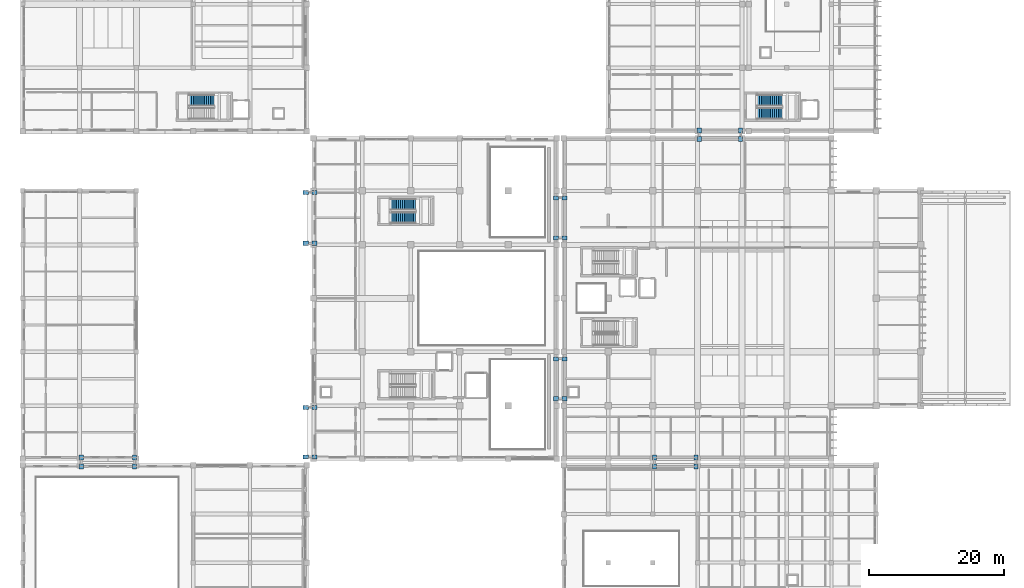
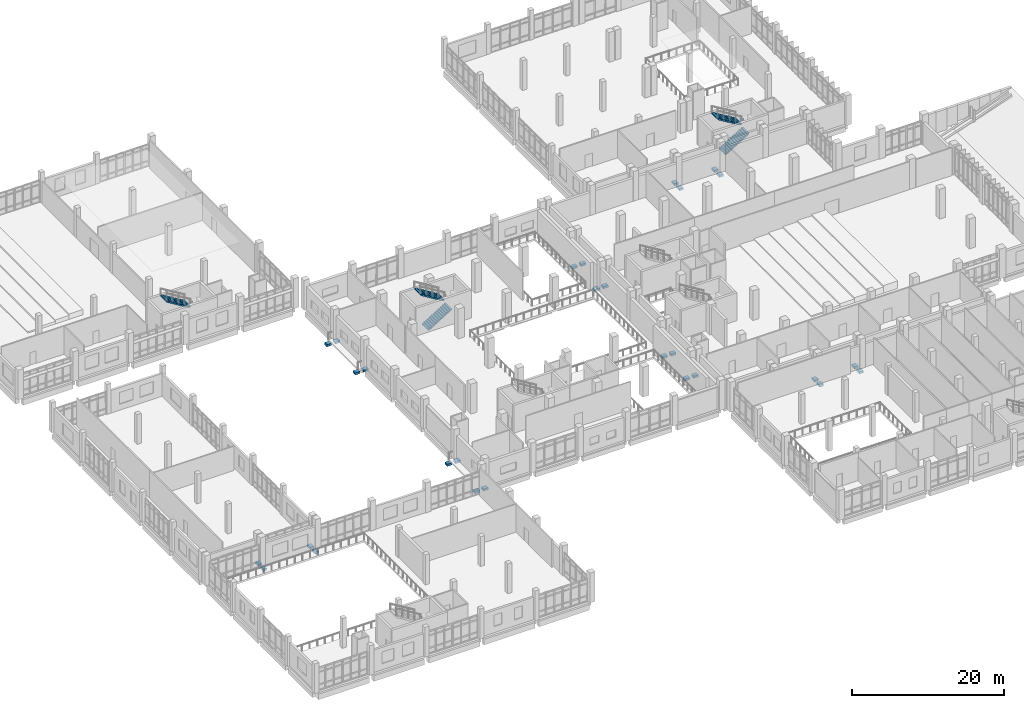
# One storey, part 73 of 90: 28 discrete accessories, 5 stair flights, 3 elements without a shape of their own.
"""IFC4 building model written with IfcOpenShell, lengths in metres."""

from ifc_helpers import new_model, si_unit, direction, frame, origin, origin_2d, place, context, subcontext, project, spatial, polyline, rectangle, outline, extrude, material, type_object, element, aggregate, save


model = new_model("IFC4")

# Units and contexts
model_context = context("Model", 3, precision=1e-05, world=origin(), true_north=direction((0.0, 1.0)))
body_context = subcontext(model_context, "Body", "Model", "MODEL_VIEW")
ifc_project = project(units=[si_unit("LENGTHUNIT", "METRE"), si_unit("AREAUNIT", "SQUARE_METRE"), si_unit("VOLUMEUNIT", "CUBIC_METRE"), si_unit("PLANEANGLEUNIT", "RADIAN"), si_unit("MASSUNIT", "GRAM", prefix="KILO")], contexts=[model_context])

# Site, building, storey
site_placement = place(None, origin())
site = spatial("IfcSite", under=ifc_project, at=site_placement, CompositionType="ELEMENT")
building_placement = place(site_placement, origin())
building = spatial("IfcBuilding", under=site, at=building_placement, Name="Kelarvand Opera House", CompositionType="ELEMENT")
storey_placement = place(building_placement, frame((0.0, 0.0, 5.39990234375)))
storey = spatial("IfcBuildingStorey", under=building, at=storey_placement, Name="L01", CompositionType="ELEMENT", Elevation=5.39990234375)

# Stair, stair flights
ifc_material_1 = material(Name="Concrete C35/45", Category="concrete")
stair_type = type_object("IfcStairType", Name="Dogleg Concrete Exit Stair 1660mm 28R STA-01", PredefinedType="HALF_TURN_STAIR", material=ifc_material_1)
stair_1_placement = place(storey_placement, origin())
stair_1 = element("IfcStair", 1, at=stair_1_placement, inside=storey, type_object=stair_type, Name="L01 Fly Tower North Technical Core C3 Stair ST-03", PredefinedType="HALF_TURN_STAIR")
stair_flight_type = type_object("IfcStairFlightType", Name="Precast Stair Flight 1660mm 14x171mm STF-01", PredefinedType="STRAIGHT", material=ifc_material_1)
stair_flight_1_placement = place(storey_placement, frame((63.4599609375, 74.429931640625, 0.0), z_axis=(0.0, 0.0, 1.0), x_axis=(1.0, 0.0, 0.0)))
stair_flight_1 = element("IfcStairFlight", 2, at=stair_flight_1_placement, type_object=stair_flight_type, Name="ST-03 flight 1", NumberOfRisers=14, NumberOfTreads=13, PredefinedType="STRAIGHT", RiserHeight=0.171428571, TreadLength=0.28, context=body_context, shape_type="SweptSolid", body=[
    extrude(outline(polyline([(0.0, 0.0), (0.0, 0.17138671875), (0.280029296875, 0.17138671875), (0.280029296875, 0.3427734375), (0.56005859375, 0.3427734375), (0.56005859375, 0.514404296875), (0.840087890625, 0.514404296875), (0.840087890625, 0.685791015625), (1.1201171875, 0.685791015625), (1.1201171875, 0.857177734375), (1.39990234375, 0.857177734375), (1.39990234375, 1.028564453125), (1.679931640625, 1.028564453125), (1.679931640625, 1.199951171875), (1.9599609375, 1.199951171875), (1.9599609375, 1.371337890625), (2.239990234375, 1.371337890625), (2.239990234375, 1.54296875), (2.52001953125, 1.54296875), (2.52001953125, 1.71435546875), (2.800048828125, 1.71435546875), (2.800048828125, 1.8857421875), (3.080078125, 1.8857421875), (3.080078125, 2.05712890625), (3.360107421875, 2.05712890625), (3.360107421875, 2.228515625), (3.639892578125, 2.228515625), (3.639892578125, 2.39990234375), (3.639892578125, 2.041015625), (0.30615234375, 0.0), (0.0, 0.0)])), frame((0.0, 0.830078125, 0.0), z_axis=(0.0, -1.0, 0.0), x_axis=(1.0, 0.0, 0.0)), (0.0, 0.0, 1.0), 1.659912109375),
])
stair_flight_2_placement = place(storey_placement, frame((67.10009765625, 76.3701171875, 2.400146484375), z_axis=(0.0, 0.0, 1.0), x_axis=(-1.0, 0.0, 0.0)))
stair_flight_2 = element("IfcStairFlight", 3, at=stair_flight_2_placement, type_object=stair_flight_type, Name="ST-03 flight 2", NumberOfRisers=14, NumberOfTreads=13, PredefinedType="STRAIGHT", RiserHeight=0.171428571, TreadLength=0.28, context=body_context, shape_type="SweptSolid", body=[
    extrude(outline(polyline([(0.0, 0.0), (0.0, 0.17138671875), (0.280029296875, 0.17138671875), (0.280029296875, 0.3427734375), (0.56005859375, 0.3427734375), (0.56005859375, 0.514404296875), (0.840087890625, 0.514404296875), (0.840087890625, 0.685791015625), (1.1201171875, 0.685791015625), (1.1201171875, 0.857177734375), (1.39990234375, 0.857177734375), (1.39990234375, 1.028564453125), (1.679931640625, 1.028564453125), (1.679931640625, 1.199951171875), (1.9599609375, 1.199951171875), (1.9599609375, 1.371337890625), (2.239990234375, 1.371337890625), (2.239990234375, 1.54296875), (2.52001953125, 1.54296875), (2.52001953125, 1.71435546875), (2.800048828125, 1.71435546875), (2.800048828125, 1.8857421875), (3.080078125, 1.8857421875), (3.080078125, 2.05712890625), (3.360107421875, 2.05712890625), (3.360107421875, 2.228515625), (3.639892578125, 2.228515625), (3.639892578125, 2.39990234375), (3.639892578125, 2.041015625), (0.30615234375, 0.0), (0.0, 0.0)])), frame((0.0, 0.830078125, 0.0), z_axis=(0.0, -1.0, 0.0), x_axis=(1.0, 0.0, 0.0)), (0.0, 0.0, 1.0), 1.659912109375),
])
aggregate(stair_1, [stair_flight_1, stair_flight_2])

# Stair, stair flight
stair_2_placement = place(storey_placement, origin())
stair_2 = element("IfcStair", 4, at=stair_2_placement, inside=storey, type_object=stair_type, Name="L01 Rehearsal Pavilion Core C5 Stair ST-05", PredefinedType="HALF_TURN_STAIR")
stair_flight_3_placement = place(storey_placement, frame((37.300048828125, 91.77001953125, 2.400146484375), z_axis=(0.0, 0.0, 1.0), x_axis=(-1.0, 0.0, 0.0)))
stair_flight_3 = element("IfcStairFlight", 5, at=stair_flight_3_placement, type_object=stair_flight_type, Name="ST-05 flight 2", NumberOfRisers=14, NumberOfTreads=13, PredefinedType="STRAIGHT", RiserHeight=0.171428571, TreadLength=0.28, context=body_context, shape_type="SweptSolid", body=[
    extrude(outline(polyline([(0.0, 0.0), (0.0, 0.17138671875), (0.280029296875, 0.17138671875), (0.280029296875, 0.3427734375), (0.56005859375, 0.3427734375), (0.56005859375, 0.514404296875), (0.840087890625, 0.514404296875), (0.840087890625, 0.685791015625), (1.1201171875, 0.685791015625), (1.1201171875, 0.857177734375), (1.39990234375, 0.857177734375), (1.39990234375, 1.028564453125), (1.679931640625, 1.028564453125), (1.679931640625, 1.199951171875), (1.9599609375, 1.199951171875), (1.9599609375, 1.371337890625), (2.239990234375, 1.371337890625), (2.239990234375, 1.54296875), (2.52001953125, 1.54296875), (2.52001953125, 1.71435546875), (2.800048828125, 1.71435546875), (2.800048828125, 1.8857421875), (3.080078125, 1.8857421875), (3.080078125, 2.05712890625), (3.360107421875, 2.05712890625), (3.360107421875, 2.228515625), (3.639892578125, 2.228515625), (3.639892578125, 2.39990234375), (3.639892578125, 2.041015625), (0.30615234375, 0.0), (0.0, 0.0)])), frame((0.0, 0.830078125, 0.0), z_axis=(0.0, -1.0, 0.0), x_axis=(1.0, 0.0, 0.0)), (0.0, 0.0, 1.0), 1.659912109375),
])
aggregate(stair_2, [stair_flight_3])

# Stair, stair flights
stair_3_placement = place(storey_placement, origin())
stair_3 = element("IfcStair", 6, at=stair_3_placement, inside=storey, type_object=stair_type, Name="L01 North Park Foyer Core C7 Stair ST-07", PredefinedType="HALF_TURN_STAIR")
stair_flight_4_placement = place(storey_placement, frame((117.659912109375, 89.830078125, 0.0), z_axis=(0.0, 0.0, 1.0), x_axis=(1.0, 0.0, 0.0)))
stair_flight_4 = element("IfcStairFlight", 7, at=stair_flight_4_placement, type_object=stair_flight_type, Name="ST-07 flight 1", NumberOfRisers=14, NumberOfTreads=13, PredefinedType="STRAIGHT", RiserHeight=0.171428571, TreadLength=0.28, context=body_context, shape_type="SweptSolid", body=[
    extrude(outline(polyline([(0.0, 0.0), (0.0, 0.17138671875), (0.280029296875, 0.17138671875), (0.280029296875, 0.3427734375), (0.56005859375, 0.3427734375), (0.56005859375, 0.514404296875), (0.840087890625, 0.514404296875), (0.840087890625, 0.685791015625), (1.1201171875, 0.685791015625), (1.1201171875, 0.857177734375), (1.39990234375, 0.857177734375), (1.39990234375, 1.028564453125), (1.679931640625, 1.028564453125), (1.679931640625, 1.199951171875), (1.9599609375, 1.199951171875), (1.9599609375, 1.371337890625), (2.239990234375, 1.371337890625), (2.239990234375, 1.54296875), (2.52001953125, 1.54296875), (2.52001953125, 1.71435546875), (2.800048828125, 1.71435546875), (2.800048828125, 1.8857421875), (3.080078125, 1.8857421875), (3.080078125, 2.05712890625), (3.360107421875, 2.05712890625), (3.360107421875, 2.228515625), (3.639892578125, 2.228515625), (3.639892578125, 2.39990234375), (3.639892578125, 2.041015625), (0.30615234375, 0.0), (0.0, 0.0)])), frame((0.0, 0.830078125, 0.0), z_axis=(0.0, -1.0, 0.0), x_axis=(1.0, 0.0, 0.0)), (0.0, 0.0, 1.0), 1.659912109375),
])
stair_flight_5_placement = place(storey_placement, frame((121.300048828125, 91.77001953125, 2.400146484375), z_axis=(0.0, 0.0, 1.0), x_axis=(-1.0, 0.0, 0.0)))
stair_flight_5 = element("IfcStairFlight", 8, at=stair_flight_5_placement, type_object=stair_flight_type, Name="ST-07 flight 2", NumberOfRisers=14, NumberOfTreads=13, PredefinedType="STRAIGHT", RiserHeight=0.171428571, TreadLength=0.28, context=body_context, shape_type="SweptSolid", body=[
    extrude(outline(polyline([(0.0, 0.0), (0.0, 0.17138671875), (0.280029296875, 0.17138671875), (0.280029296875, 0.3427734375), (0.56005859375, 0.3427734375), (0.56005859375, 0.514404296875), (0.840087890625, 0.514404296875), (0.840087890625, 0.685791015625), (1.1201171875, 0.685791015625), (1.1201171875, 0.857177734375), (1.39990234375, 0.857177734375), (1.39990234375, 1.028564453125), (1.679931640625, 1.028564453125), (1.679931640625, 1.199951171875), (1.9599609375, 1.199951171875), (1.9599609375, 1.371337890625), (2.239990234375, 1.371337890625), (2.239990234375, 1.54296875), (2.52001953125, 1.54296875), (2.52001953125, 1.71435546875), (2.800048828125, 1.71435546875), (2.800048828125, 1.8857421875), (3.080078125, 1.8857421875), (3.080078125, 2.05712890625), (3.360107421875, 2.05712890625), (3.360107421875, 2.228515625), (3.639892578125, 2.228515625), (3.639892578125, 2.39990234375), (3.639892578125, 2.041015625), (0.30615234375, 0.0), (0.0, 0.0)])), frame((0.0, 0.830078125, 0.0), z_axis=(0.0, -1.0, 0.0), x_axis=(1.0, 0.0, 0.0)), (0.0, 0.0, 1.0), 1.659912109375),
])
aggregate(stair_3, [stair_flight_4, stair_flight_5])

# Discrete accessories
ifc_material_2 = material(Name="Concrete C40/50", Category="concrete")
discrete_accessory_type = type_object("IfcDiscreteAccessoryType", Name="Seismic Bridge RC Corbel Seat 750mm with 250mm PTFE Sliding Bearing", PredefinedType="SHOE", material=ifc_material_2)
for number, where, z_axis, x_axis, name in (
    (9, (50.85009765625, 70.64990234375, -0.675048828125), (0.0, 0.0, 1.0), (1.0, 0.0, 0.0), "Seismic Bridge 750mm Corbel Seat & 250mm PTFE Bearing BR-JW-N L01 1.1"),
    (10, (52.14990234375, 70.64990234375, -0.675048828125), (0.0, 0.0, 1.0), (1.0, 0.0, 0.0), "Seismic Bridge 750mm Corbel Seat & 250mm PTFE Bearing BR-JW-N L01 1.2"),
    (11, (50.85009765625, 78.14990234375, -0.675048828125), (0.0, 0.0, 1.0), (1.0, 0.0, 0.0), "Seismic Bridge 750mm Corbel Seat & 250mm PTFE Bearing BR-JW-N L01 2.1"),
    (12, (52.14990234375, 78.14990234375, -0.675048828125), (0.0, 0.0, 1.0), (1.0, 0.0, 0.0), "Seismic Bridge 750mm Corbel Seat & 250mm PTFE Bearing BR-JW-N L01 2.2"),
    (13, (50.85009765625, 39.050048828125, -0.675048828125), (0.0, 0.0, 1.0), (1.0, 0.0, 0.0), "Seismic Bridge 750mm Corbel Seat & 250mm PTFE Bearing BR-JW-S L01 1.1"),
    (14, (52.14990234375, 39.050048828125, -0.675048828125), (0.0, 0.0, 1.0), (1.0, 0.0, 0.0), "Seismic Bridge 750mm Corbel Seat & 250mm PTFE Bearing BR-JW-S L01 1.2"),
    (15, (50.85009765625, 46.35009765625, -0.675048828125), (0.0, 0.0, 1.0), (1.0, 0.0, 0.0), "Seismic Bridge 750mm Corbel Seat & 250mm PTFE Bearing BR-JW-S L01 2.1"),
    (16, (52.14990234375, 46.35009765625, -0.675048828125), (0.0, 0.0, 1.0), (1.0, 0.0, 0.0), "Seismic Bridge 750mm Corbel Seat & 250mm PTFE Bearing BR-JW-S L01 2.2"),
    (17, (87.85009765625, 71.449951171875, -0.675048828125), (0.0, 0.0, 1.0), (1.0, 0.0, 0.0), "Seismic Bridge 750mm Corbel Seat & 250mm PTFE Bearing BR-JP-N L01 1.1"),
    (18, (89.14990234375, 71.449951171875, -0.675048828125), (0.0, 0.0, 1.0), (1.0, 0.0, 0.0), "Seismic Bridge 750mm Corbel Seat & 250mm PTFE Bearing BR-JP-N L01 1.2"),
    (19, (87.85009765625, 77.35009765625, -0.675048828125), (0.0, 0.0, 1.0), (1.0, 0.0, 0.0), "Seismic Bridge 750mm Corbel Seat & 250mm PTFE Bearing BR-JP-N L01 2.1"),
    (20, (89.14990234375, 77.35009765625, -0.675048828125), (0.0, 0.0, 1.0), (1.0, 0.0, 0.0), "Seismic Bridge 750mm Corbel Seat & 250mm PTFE Bearing BR-JP-N L01 2.2"),
    (21, (87.85009765625, 47.64990234375, -0.675048828125), (0.0, 0.0, 1.0), (1.0, 0.0, 0.0), "Seismic Bridge 750mm Corbel Seat & 250mm PTFE Bearing BR-JP-S L01 1.1"),
    (22, (89.14990234375, 47.64990234375, -0.675048828125), (0.0, 0.0, 1.0), (1.0, 0.0, 0.0), "Seismic Bridge 750mm Corbel Seat & 250mm PTFE Bearing BR-JP-S L01 1.2"),
    (23, (87.85009765625, 53.550048828125, -0.675048828125), (0.0, 0.0, 1.0), (1.0, 0.0, 0.0), "Seismic Bridge 750mm Corbel Seat & 250mm PTFE Bearing BR-JP-S L01 2.1"),
    (24, (89.14990234375, 53.550048828125, -0.675048828125), (0.0, 0.0, 1.0), (1.0, 0.0, 0.0), "Seismic Bridge 750mm Corbel Seat & 250mm PTFE Bearing BR-JP-S L01 2.2"),
    (25, (17.64990234375, 37.64990234375, -0.675048828125), (0.0, 0.0, 1.0), (0.0, 1.0, 0.0), "Seismic Bridge 750mm Corbel Seat & 250mm PTFE Bearing BR-JS-W L01 1.1"),
    (26, (17.64990234375, 38.949951171875, -0.675048828125), (0.0, 0.0, 1.0), (0.0, 1.0, 0.0), "Seismic Bridge 750mm Corbel Seat & 250mm PTFE Bearing BR-JS-W L01 1.2"),
    (27, (25.550048828125, 37.64990234375, -0.675048828125), (0.0, 0.0, 1.0), (0.0, 1.0, 0.0), "Seismic Bridge 750mm Corbel Seat & 250mm PTFE Bearing BR-JS-W L01 2.1"),
    (28, (25.550048828125, 38.949951171875, -0.675048828125), (0.0, 0.0, 1.0), (0.0, 1.0, 0.0), "Seismic Bridge 750mm Corbel Seat & 250mm PTFE Bearing BR-JS-W L01 2.2"),
    (29, (102.449951171875, 37.64990234375, -0.675048828125), (0.0, 0.0, 1.0), (0.0, 1.0, 0.0), "Seismic Bridge 750mm Corbel Seat & 250mm PTFE Bearing BR-JS-E L01 1.1"),
    (30, (102.449951171875, 38.949951171875, -0.675048828125), (0.0, 0.0, 1.0), (0.0, 1.0, 0.0), "Seismic Bridge 750mm Corbel Seat & 250mm PTFE Bearing BR-JS-E L01 1.2"),
    (31, (108.550048828125, 37.64990234375, -0.675048828125), (0.0, 0.0, 1.0), (0.0, 1.0, 0.0), "Seismic Bridge 750mm Corbel Seat & 250mm PTFE Bearing BR-JS-E L01 2.1"),
    (32, (108.550048828125, 38.949951171875, -0.675048828125), (0.0, 0.0, 1.0), (0.0, 1.0, 0.0), "Seismic Bridge 750mm Corbel Seat & 250mm PTFE Bearing BR-JS-E L01 2.2"),
    (33, (109.050048828125, 86.050048828125, -0.675048828125), (0.0, 0.0, 1.0), (0.0, 1.0, 0.0), "Seismic Bridge 750mm Corbel Seat & 250mm PTFE Bearing BR-JN-E L01 1.1"),
    (34, (109.050048828125, 87.35009765625, -0.675048828125), (0.0, 0.0, 1.0), (0.0, 1.0, 0.0), "Seismic Bridge 750mm Corbel Seat & 250mm PTFE Bearing BR-JN-E L01 1.2"),
    (35, (115.14990234375, 86.050048828125, -0.675048828125), (0.0, 0.0, 1.0), (0.0, 1.0, 0.0), "Seismic Bridge 750mm Corbel Seat & 250mm PTFE Bearing BR-JN-E L01 2.1"),
    (36, (115.14990234375, 87.35009765625, -0.675048828125), (0.0, 0.0, 1.0), (0.0, 1.0, 0.0), "Seismic Bridge 750mm Corbel Seat & 250mm PTFE Bearing BR-JN-E L01 2.2"),
):
    element("IfcDiscreteAccessory", number, at=place(storey_placement, frame(where, z_axis=z_axis, x_axis=x_axis)), inside=storey, type_object=discrete_accessory_type, Name=name, PredefinedType="SHOE", context=body_context, shape_type="SweptSolid", body=[
        extrude(rectangle(XDim=0.75, YDim=0.60009765625, at=origin_2d()), origin(), (0.0, 0.0, 1.0), 0.35009765625),
    ])

save(model, "model.ifc")
